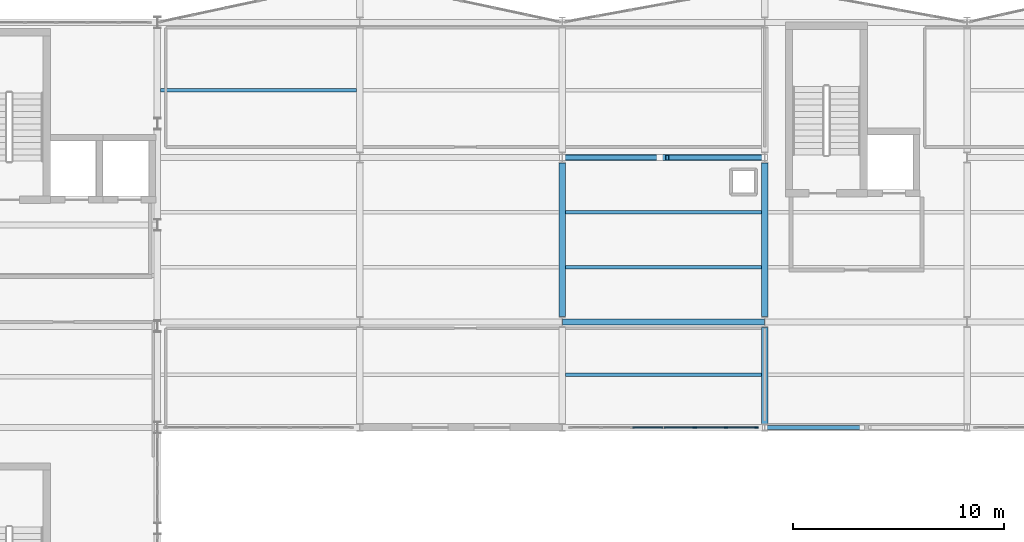
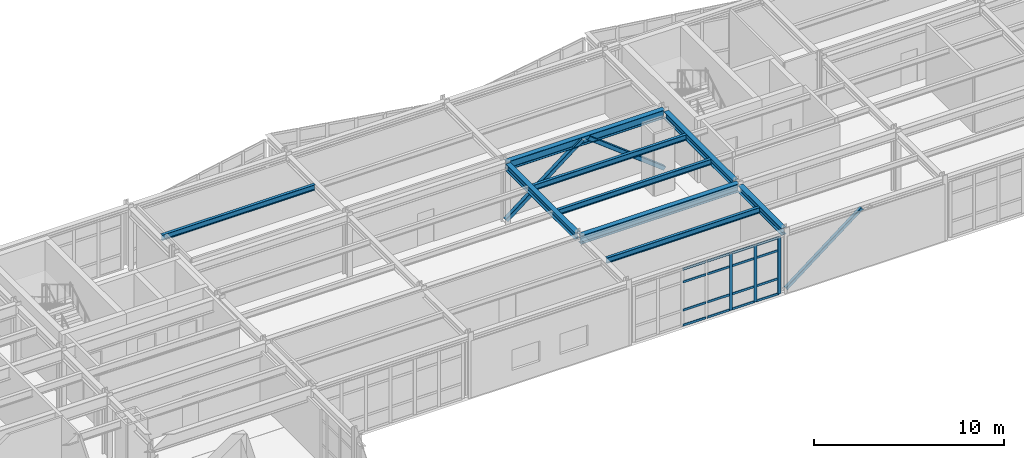
# One storey, part 30 of 64: 22 members, 9 beams, 1 element without a shape of its own.
"""IFC4 building model written with IfcOpenShell, lengths in metres."""

from ifc_helpers import new_model, si_unit, direction, frame, origin, origin_2d, place, context, subcontext, project, spatial, rectangle, hollow_rectangle, i_section, extrude, material, layer, layer_set, material_profile, profile_set, type_object, element, aggregate, save


model = new_model("IFC4")

# Units and contexts
model_context = context("Model", 3, precision=1e-05, world=origin(), true_north=direction((0.0, 1.0)))
body_context = subcontext(model_context, "Body", "Model", "MODEL_VIEW")
ifc_project = project(units=[si_unit("LENGTHUNIT", "METRE"), si_unit("AREAUNIT", "SQUARE_METRE"), si_unit("VOLUMEUNIT", "CUBIC_METRE"), si_unit("PLANEANGLEUNIT", "RADIAN"), si_unit("MASSUNIT", "GRAM", prefix="KILO")], contexts=[model_context])

# Site, building, storey
site_placement = place(None, origin())
site = spatial("IfcSite", under=ifc_project, at=site_placement, CompositionType="ELEMENT")
building_placement = place(site_placement, origin())
building = spatial("IfcBuilding", under=site, at=building_placement, Name="Nordkorset Police Headquarters", CompositionType="ELEMENT")
storey_placement = place(building_placement, frame((0.0, 0.0, 17.85009765625)))
storey = spatial("IfcBuildingStorey", under=building, at=storey_placement, Name="L04", CompositionType="ELEMENT", Elevation=17.85009765625)

# Beams
ifc_material_1 = material(Name="Steel S355J2", Category="steel")
ifc_material_profile_1 = material_profile(ifc_material_1, i_section(OverallWidth=0.169921875, OverallDepth=0.360107421875, WebThickness=0.008056640625, FlangeThickness=0.0126953125, FilletRadius=0.01806640625, at=origin_2d()), Name="IPE 360")
ifc_profile_set_1 = profile_set([ifc_material_profile_1], Name="Steel S355J2")
beam_type_1 = type_object("IfcBeamType", Name="Beam_IPE_360", PredefinedType="BEAM", material=ifc_profile_set_1)
for number, where, z_axis, x_axis, name in (
    (1, (28.949951171875, 113.60009765625, 3.809814453125), (1.0, 0.0, 0.0), (0.0, 1.0, 0.0), "Composite Floor Beam V2 L04 0-2-1"),
    (2, (48.14990234375, 100.10009765625, 3.804931640625), (1.0, 0.0, 0.0), (0.0, 1.0, 0.0), "Composite Floor Beam V2 L04 2-0-1"),
    (3, (48.14990234375, 105.199951171875, 3.809814453125), (1.0, 0.0, 0.0), (0.0, 1.0, 0.0), "Composite Floor Beam V2 L04 2-1-1"),
    (4, (48.14990234375, 107.800048828125, 3.809814453125), (1.0, 0.0, 0.0), (0.0, 1.0, 0.0), "Composite Floor Beam V2 L04 2-1-2"),
):
    element("IfcBeam", number, at=place(storey_placement, frame(where, z_axis=z_axis, x_axis=x_axis)), inside=storey, type_object=beam_type_1, Name=name, PredefinedType="BEAM", context=body_context, shape_type="SweptSolid", body=[
        extrude(i_section(OverallWidth=0.169921875, OverallDepth=0.360107421875, WebThickness=0.008056640625, FlangeThickness=0.0126953125, FilletRadius=0.01806640625, at=origin_2d()), origin(), (0.0, 0.0, 1.0), 9.300048828125),
    ])

# Members
ifc_material_2 = material(Name="Steel S355J2", Category="steel")
ifc_material_profile_2 = material_profile(ifc_material_2, hollow_rectangle(XDim=0.199951171875, YDim=0.199951171875, WallThickness=0.010009765625, InnerFilletRadius=0.010009765625, OuterFilletRadius=0.02001953125, at=origin_2d()), Name="SHS 200x200x10")
ifc_profile_set_2 = profile_set([ifc_material_profile_2], Name="Steel S355J2")
member_type_1 = type_object("IfcMemberType", Name="Brace_SHS_200x200x10", PredefinedType="BRACE", material=ifc_profile_set_2)
member_1_placement = place(storey_placement, frame((57.60595703125, 97.60009765625, 0.199951171875), z_axis=(0.790895535906, 0.0, 0.611951183743), x_axis=(0.0, 1.0, 0.0)))
element("IfcMember", 5, at=member_1_placement, inside=storey, type_object=member_type_1, Name="Lateral Chevron Brace BF-EXT-V2S L04 D1", PredefinedType="BRACE", context=body_context, shape_type="SweptSolid", body=[
    extrude(hollow_rectangle(XDim=0.199951171875, YDim=0.199951171875, WallThickness=0.010009765625, InnerFilletRadius=0.010009765625, OuterFilletRadius=0.02001953125, at=origin_2d()), origin(), (0.0, 0.0, 1.0), 5.833984375),
])
ifc_material_3 = material(Name="Steel S355J2", Category="steel")
ifc_material_profile_3 = material_profile(ifc_material_3, hollow_rectangle(XDim=0.25, YDim=0.25, WallThickness=0.012451171875, InnerFilletRadius=0.012451171875, OuterFilletRadius=0.02490234375, at=origin_2d()), Name="SHS 250x250x12.5")
ifc_profile_set_3 = profile_set([ifc_material_profile_3], Name="Steel S355J2")
member_type_2 = type_object("IfcMemberType", Name="Brace_SHS_250x250x12.5", PredefinedType="BRACE", material=ifc_profile_set_3)
for number, where, z_axis, x_axis, name in (
    (6, (48.00732421875, 110.39990234375, 0.199951171875), (0.790817158357, 0.0, 0.612052466744), (0.0, 1.0, 0.0), "Lateral Chevron Brace BF-V2-A L04 D1"),
    (7, (57.5927734375, 110.39990234375, 0.199951171875), (-0.790817158357, 0.0, 0.612052466744), (0.0, -1.0, 0.0), "Lateral Chevron Brace BF-V2-A L04 D2"),
):
    element("IfcMember", number, at=place(storey_placement, frame(where, z_axis=z_axis, x_axis=x_axis)), inside=storey, type_object=member_type_2, Name=name, PredefinedType="BRACE", context=body_context, shape_type="SweptSolid", body=[
        extrude(hollow_rectangle(XDim=0.25, YDim=0.25, WallThickness=0.012451171875, InnerFilletRadius=0.012451171875, OuterFilletRadius=0.02490234375, at=origin_2d()), origin(), (0.0, 0.0, 1.0), 5.8330078125),
    ])

# Curtain wall, members
ifc_material_4 = material(Name="Aluminium alloy AW-6060", Category="aluminium")
ifc_layer = layer(ifc_material_4, 0.179931640625, Name="Aluminium alloy AW-6060")
ifc_layer_set = layer_set([ifc_layer], Name="Aluminium alloy AW-6060")
curtain_wall_type = type_object("IfcCurtainWallType", Name="CW_Unit_888x366", PredefinedType="USERDEFINED", material=ifc_layer_set)
curtain_wall_placement = place(storey_placement, origin())
curtain_wall = element("IfcCurtainWall", 8, at=curtain_wall_placement, inside=storey, type_object=curtain_wall_type, Name="Unitised Curtain Wall L04 V2S-2", ObjectType="UNITISED CURTAIN WALL", PredefinedType="USERDEFINED")
ifc_material_5 = material(Name="Aluminium alloy AW-6060", Category="aluminium")
ifc_material_profile_4 = material_profile(ifc_material_5, rectangle(XDim=0.06494140625, YDim=0.179931640625, at=origin_2d()), Name="ALU MULL 65x180")
ifc_profile_set_4 = profile_set([ifc_material_profile_4], Name="Aluminium alloy AW-6060")
member_type_3 = type_object("IfcMemberType", Name="CW_Mullion_65x180", PredefinedType="MULLION", material=ifc_profile_set_4)
member_2_placement = place(storey_placement, frame((54.280029296875, 97.60009765625, 0.0), z_axis=(0.0, 0.0, 1.0), x_axis=(0.0, 1.0, 0.0)))
member_2 = element("IfcMember", 9, at=member_2_placement, type_object=member_type_3, Name="CW-19 mullion 5", PredefinedType="MULLION", context=body_context, shape_type="SweptSolid", body=[
    extrude(rectangle(XDim=0.06494140625, YDim=0.179931640625, at=origin_2d()), origin(), (0.0, 0.0, 1.0), 3.65478515625),
])
member_3_placement = place(storey_placement, frame((55.760009765625, 97.60009765625, 0.0), z_axis=(0.0, 0.0, 1.0), x_axis=(0.0, 1.0, 0.0)))
member_3 = element("IfcMember", 10, at=member_3_placement, type_object=member_type_3, Name="CW-19 mullion 6", PredefinedType="MULLION", context=body_context, shape_type="SweptSolid", body=[
    extrude(rectangle(XDim=0.06494140625, YDim=0.179931640625, at=origin_2d()), origin(), (0.0, 0.0, 1.0), 3.65478515625),
])
member_4_placement = place(storey_placement, frame((57.20751953125, 97.60009765625, 0.0), z_axis=(0.0, 0.0, 1.0), x_axis=(0.0, 1.0, 0.0)))
member_4 = element("IfcMember", 11, at=member_4_placement, type_object=member_type_3, Name="CW-19 mullion 7", PredefinedType="MULLION", context=body_context, shape_type="SweptSolid", body=[
    extrude(rectangle(XDim=0.06494140625, YDim=0.179931640625, at=origin_2d()), origin(), (0.0, 0.0, 1.0), 3.65478515625),
])
ifc_material_6 = material(Name="Aluminium alloy AW-6060", Category="aluminium")
ifc_material_profile_5 = material_profile(ifc_material_6, rectangle(XDim=0.06494140625, YDim=0.139892578125, at=origin_2d()), Name="ALU TRAN 65x140")
ifc_profile_set_5 = profile_set([ifc_material_profile_5], Name="Aluminium alloy AW-6060")
member_type_4 = type_object("IfcMemberType", Name="CW_Transom_65x140", PredefinedType="USERDEFINED", material=ifc_profile_set_5)
member_5_placement = place(storey_placement, frame((51.3525390625, 97.60009765625, 0.032470703125), z_axis=(1.0, 0.0, 0.0), x_axis=(0.0, 1.0, 0.0)))
member_5 = element("IfcMember", 12, at=member_5_placement, type_object=member_type_4, Name="CW-19 transom 3.1", ObjectType="TRANSOM", PredefinedType="USERDEFINED", context=body_context, shape_type="SweptSolid", body=[
    extrude(rectangle(XDim=0.06494140625, YDim=0.139892578125, at=origin_2d()), origin(), (0.0, 0.0, 1.0), 1.4150390625),
])
member_6_placement = place(storey_placement, frame((51.3525390625, 97.60009765625, 1.0), z_axis=(1.0, 0.0, 0.0), x_axis=(0.0, 1.0, 0.0)))
member_6 = element("IfcMember", 13, at=member_6_placement, type_object=member_type_4, Name="CW-19 transom 3.2", ObjectType="TRANSOM", PredefinedType="USERDEFINED", context=body_context, shape_type="SweptSolid", body=[
    extrude(rectangle(XDim=0.06494140625, YDim=0.139892578125, at=origin_2d()), origin(), (0.0, 0.0, 1.0), 1.4150390625),
])
member_7_placement = place(storey_placement, frame((51.3525390625, 97.60009765625, 2.804931640625), z_axis=(1.0, 0.0, 0.0), x_axis=(0.0, 1.0, 0.0)))
member_7 = element("IfcMember", 14, at=member_7_placement, type_object=member_type_4, Name="CW-19 transom 3.3", ObjectType="TRANSOM", PredefinedType="USERDEFINED", context=body_context, shape_type="SweptSolid", body=[
    extrude(rectangle(XDim=0.06494140625, YDim=0.139892578125, at=origin_2d()), origin(), (0.0, 0.0, 1.0), 1.4150390625),
])
member_8_placement = place(storey_placement, frame((51.3525390625, 97.60009765625, 3.622314453125), z_axis=(1.0, 0.0, 0.0), x_axis=(0.0, 1.0, 0.0)))
member_8 = element("IfcMember", 15, at=member_8_placement, type_object=member_type_4, Name="CW-19 transom 3.4", ObjectType="TRANSOM", PredefinedType="USERDEFINED", context=body_context, shape_type="SweptSolid", body=[
    extrude(rectangle(XDim=0.06494140625, YDim=0.139892578125, at=origin_2d()), origin(), (0.0, 0.0, 1.0), 1.4150390625),
])
member_9_placement = place(storey_placement, frame((52.83251953125, 97.60009765625, 0.032470703125), z_axis=(1.0, 0.0, 0.0), x_axis=(0.0, 1.0, 0.0)))
member_9 = element("IfcMember", 16, at=member_9_placement, type_object=member_type_4, Name="CW-19 transom 4.1", ObjectType="TRANSOM", PredefinedType="USERDEFINED", context=body_context, shape_type="SweptSolid", body=[
    extrude(rectangle(XDim=0.06494140625, YDim=0.139892578125, at=origin_2d()), origin(), (0.0, 0.0, 1.0), 1.4150390625),
])
member_10_placement = place(storey_placement, frame((52.83251953125, 97.60009765625, 1.0), z_axis=(1.0, 0.0, 0.0), x_axis=(0.0, 1.0, 0.0)))
member_10 = element("IfcMember", 17, at=member_10_placement, type_object=member_type_4, Name="CW-19 transom 4.2", ObjectType="TRANSOM", PredefinedType="USERDEFINED", context=body_context, shape_type="SweptSolid", body=[
    extrude(rectangle(XDim=0.06494140625, YDim=0.139892578125, at=origin_2d()), origin(), (0.0, 0.0, 1.0), 1.4150390625),
])
member_11_placement = place(storey_placement, frame((52.83251953125, 97.60009765625, 2.804931640625), z_axis=(1.0, 0.0, 0.0), x_axis=(0.0, 1.0, 0.0)))
member_11 = element("IfcMember", 18, at=member_11_placement, type_object=member_type_4, Name="CW-19 transom 4.3", ObjectType="TRANSOM", PredefinedType="USERDEFINED", context=body_context, shape_type="SweptSolid", body=[
    extrude(rectangle(XDim=0.06494140625, YDim=0.139892578125, at=origin_2d()), origin(), (0.0, 0.0, 1.0), 1.4150390625),
])
member_12_placement = place(storey_placement, frame((52.83251953125, 97.60009765625, 3.622314453125), z_axis=(1.0, 0.0, 0.0), x_axis=(0.0, 1.0, 0.0)))
member_12 = element("IfcMember", 19, at=member_12_placement, type_object=member_type_4, Name="CW-19 transom 4.4", ObjectType="TRANSOM", PredefinedType="USERDEFINED", context=body_context, shape_type="SweptSolid", body=[
    extrude(rectangle(XDim=0.06494140625, YDim=0.139892578125, at=origin_2d()), origin(), (0.0, 0.0, 1.0), 1.4150390625),
])
member_13_placement = place(storey_placement, frame((54.3125, 97.60009765625, 0.032470703125), z_axis=(1.0, 0.0, 0.0), x_axis=(0.0, 1.0, 0.0)))
member_13 = element("IfcMember", 20, at=member_13_placement, type_object=member_type_4, Name="CW-19 transom 5.1", ObjectType="TRANSOM", PredefinedType="USERDEFINED", context=body_context, shape_type="SweptSolid", body=[
    extrude(rectangle(XDim=0.06494140625, YDim=0.139892578125, at=origin_2d()), origin(), (0.0, 0.0, 1.0), 1.4150390625),
])
member_14_placement = place(storey_placement, frame((54.3125, 97.60009765625, 1.0), z_axis=(1.0, 0.0, 0.0), x_axis=(0.0, 1.0, 0.0)))
member_14 = element("IfcMember", 21, at=member_14_placement, type_object=member_type_4, Name="CW-19 transom 5.2", ObjectType="TRANSOM", PredefinedType="USERDEFINED", context=body_context, shape_type="SweptSolid", body=[
    extrude(rectangle(XDim=0.06494140625, YDim=0.139892578125, at=origin_2d()), origin(), (0.0, 0.0, 1.0), 1.4150390625),
])
member_15_placement = place(storey_placement, frame((54.3125, 97.60009765625, 2.804931640625), z_axis=(1.0, 0.0, 0.0), x_axis=(0.0, 1.0, 0.0)))
member_15 = element("IfcMember", 22, at=member_15_placement, type_object=member_type_4, Name="CW-19 transom 5.3", ObjectType="TRANSOM", PredefinedType="USERDEFINED", context=body_context, shape_type="SweptSolid", body=[
    extrude(rectangle(XDim=0.06494140625, YDim=0.139892578125, at=origin_2d()), origin(), (0.0, 0.0, 1.0), 1.4150390625),
])
member_16_placement = place(storey_placement, frame((54.3125, 97.60009765625, 3.622314453125), z_axis=(1.0, 0.0, 0.0), x_axis=(0.0, 1.0, 0.0)))
member_16 = element("IfcMember", 23, at=member_16_placement, type_object=member_type_4, Name="CW-19 transom 5.4", ObjectType="TRANSOM", PredefinedType="USERDEFINED", context=body_context, shape_type="SweptSolid", body=[
    extrude(rectangle(XDim=0.06494140625, YDim=0.139892578125, at=origin_2d()), origin(), (0.0, 0.0, 1.0), 1.4150390625),
])
member_17_placement = place(storey_placement, frame((55.79248046875, 97.60009765625, 0.032470703125), z_axis=(1.0, 0.0, 0.0), x_axis=(0.0, 1.0, 0.0)))
member_17 = element("IfcMember", 24, at=member_17_placement, type_object=member_type_4, Name="CW-19 transom 6.1", ObjectType="TRANSOM", PredefinedType="USERDEFINED", context=body_context, shape_type="SweptSolid", body=[
    extrude(rectangle(XDim=0.06494140625, YDim=0.139892578125, at=origin_2d()), origin(), (0.0, 0.0, 1.0), 1.382568359375),
])
member_18_placement = place(storey_placement, frame((55.79248046875, 97.60009765625, 1.0), z_axis=(1.0, 0.0, 0.0), x_axis=(0.0, 1.0, 0.0)))
member_18 = element("IfcMember", 25, at=member_18_placement, type_object=member_type_4, Name="CW-19 transom 6.2", ObjectType="TRANSOM", PredefinedType="USERDEFINED", context=body_context, shape_type="SweptSolid", body=[
    extrude(rectangle(XDim=0.06494140625, YDim=0.139892578125, at=origin_2d()), origin(), (0.0, 0.0, 1.0), 1.382568359375),
])
member_19_placement = place(storey_placement, frame((55.79248046875, 97.60009765625, 2.804931640625), z_axis=(1.0, 0.0, 0.0), x_axis=(0.0, 1.0, 0.0)))
member_19 = element("IfcMember", 26, at=member_19_placement, type_object=member_type_4, Name="CW-19 transom 6.3", ObjectType="TRANSOM", PredefinedType="USERDEFINED", context=body_context, shape_type="SweptSolid", body=[
    extrude(rectangle(XDim=0.06494140625, YDim=0.139892578125, at=origin_2d()), origin(), (0.0, 0.0, 1.0), 1.382568359375),
])
member_20_placement = place(storey_placement, frame((55.79248046875, 97.60009765625, 3.622314453125), z_axis=(1.0, 0.0, 0.0), x_axis=(0.0, 1.0, 0.0)))
member_20 = element("IfcMember", 27, at=member_20_placement, type_object=member_type_4, Name="CW-19 transom 6.4", ObjectType="TRANSOM", PredefinedType="USERDEFINED", context=body_context, shape_type="SweptSolid", body=[
    extrude(rectangle(XDim=0.06494140625, YDim=0.139892578125, at=origin_2d()), origin(), (0.0, 0.0, 1.0), 1.382568359375),
])
aggregate(curtain_wall, [member_2, member_3, member_4, member_5, member_6, member_7, member_8, member_9, member_10, member_11, member_12, member_13, member_14, member_15, member_16, member_17, member_18, member_19, member_20])

# Beams
ifc_material_7 = material(Name="Steel S355J2", Category="steel")
ifc_material_profile_6 = material_profile(ifc_material_7, i_section(OverallWidth=0.300048828125, OverallDepth=0.43994140625, WebThickness=0.011474609375, FlangeThickness=0.02099609375, FilletRadius=0.027099609375, at=origin_2d()), Name="HEA 450")
ifc_profile_set_6 = profile_set([ifc_material_profile_6], Name="Steel S355J2")
beam_type_2 = type_object("IfcBeamType", Name="Girder_HEA_450", PredefinedType="USERDEFINED", material=ifc_profile_set_6)
beam_1_placement = place(storey_placement, frame((48.0, 102.85009765625, 3.77001953125), z_axis=(0.0, 1.0, 0.0), x_axis=(-1.0, 0.0, 0.0)))
element("IfcBeam", 28, at=beam_1_placement, inside=storey, type_object=beam_type_2, Name="Girder V2 L04 GY-2-1", ObjectType="GIRDER", PredefinedType="USERDEFINED", context=body_context, shape_type="SweptSolid", body=[
    extrude(i_section(OverallWidth=0.300048828125, OverallDepth=0.43994140625, WebThickness=0.011474609375, FlangeThickness=0.02099609375, FilletRadius=0.027099609375, at=origin_2d()), origin(), (0.0, 0.0, 1.0), 7.2998046875),
])
beam_2_placement = place(storey_placement, frame((57.60009765625, 97.77001953125, 3.764892578125), z_axis=(0.0, 1.0, 0.0), x_axis=(-1.0, 0.0, 0.0)))
element("IfcBeam", 29, at=beam_2_placement, inside=storey, type_object=beam_type_2, Name="Girder V2 L04 GY-3-0", ObjectType="GIRDER", PredefinedType="USERDEFINED", context=body_context, shape_type="SweptSolid", body=[
    extrude(i_section(OverallWidth=0.300048828125, OverallDepth=0.43994140625, WebThickness=0.011474609375, FlangeThickness=0.02099609375, FilletRadius=0.027099609375, at=origin_2d()), origin(), (0.0, 0.0, 1.0), 4.580078125),
])
beam_3_placement = place(storey_placement, frame((57.60009765625, 102.85009765625, 3.77001953125), z_axis=(0.0, 1.0, 0.0), x_axis=(-1.0, 0.0, 0.0)))
element("IfcBeam", 30, at=beam_3_placement, inside=storey, type_object=beam_type_2, Name="Girder V2 L04 GY-3-1", ObjectType="GIRDER", PredefinedType="USERDEFINED", context=body_context, shape_type="SweptSolid", body=[
    extrude(i_section(OverallWidth=0.300048828125, OverallDepth=0.43994140625, WebThickness=0.011474609375, FlangeThickness=0.02099609375, FilletRadius=0.027099609375, at=origin_2d()), origin(), (0.0, 0.0, 1.0), 7.2998046875),
])
ifc_material_8 = material(Name="Steel S355J2", Category="steel")
ifc_material_profile_7 = material_profile(ifc_material_8, i_section(OverallWidth=0.300048828125, OverallDepth=0.5400390625, WebThickness=0.012451171875, FlangeThickness=0.02392578125, FilletRadius=0.027099609375, at=origin_2d()), Name="HEA 550")
ifc_profile_set_7 = profile_set([ifc_material_profile_7], Name="Steel S355J2")
beam_type_3 = type_object("IfcBeamType", Name="Girder_HEA_550", PredefinedType="USERDEFINED", material=ifc_profile_set_7)
for number, where, z_axis, x_axis, name in (
    (31, (48.00732421875, 102.60009765625, 3.71484375), (1.0, 0.0, 0.0), (0.0, 1.0, 0.0), "Girder V2 L04 GX-1-2"),
    (32, (48.00732421875, 110.39990234375, 3.719970703125), (1.0, 0.0, 0.0), (0.0, 1.0, 0.0), "Girder V2 L04 GX-2-2"),
):
    element("IfcBeam", number, at=place(storey_placement, frame(where, z_axis=z_axis, x_axis=x_axis)), inside=storey, type_object=beam_type_3, Name=name, ObjectType="GIRDER", PredefinedType="USERDEFINED", context=body_context, shape_type="SweptSolid", body=[
        extrude(i_section(OverallWidth=0.300048828125, OverallDepth=0.5400390625, WebThickness=0.012451171875, FlangeThickness=0.02392578125, FilletRadius=0.027099609375, at=origin_2d()), origin(), (0.0, 0.0, 1.0), 9.58544921875),
    ])

save(model, "model.ifc")
